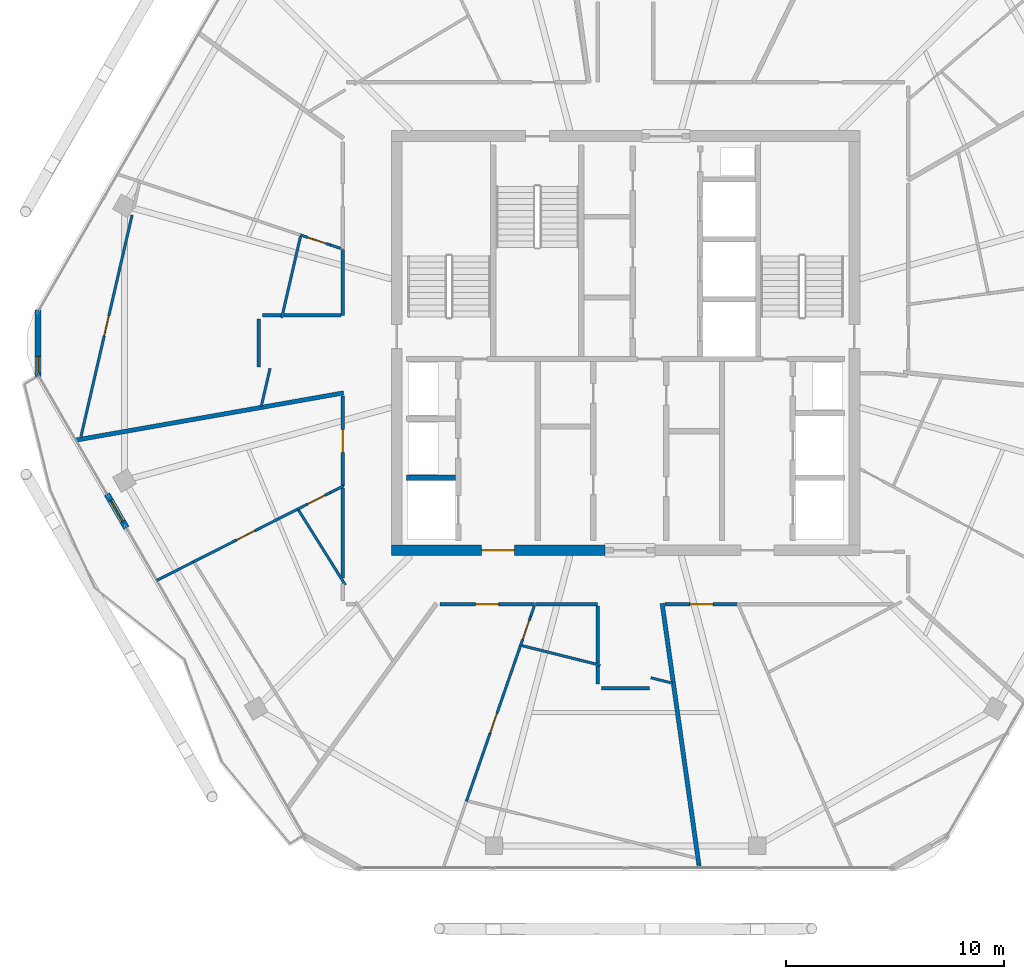
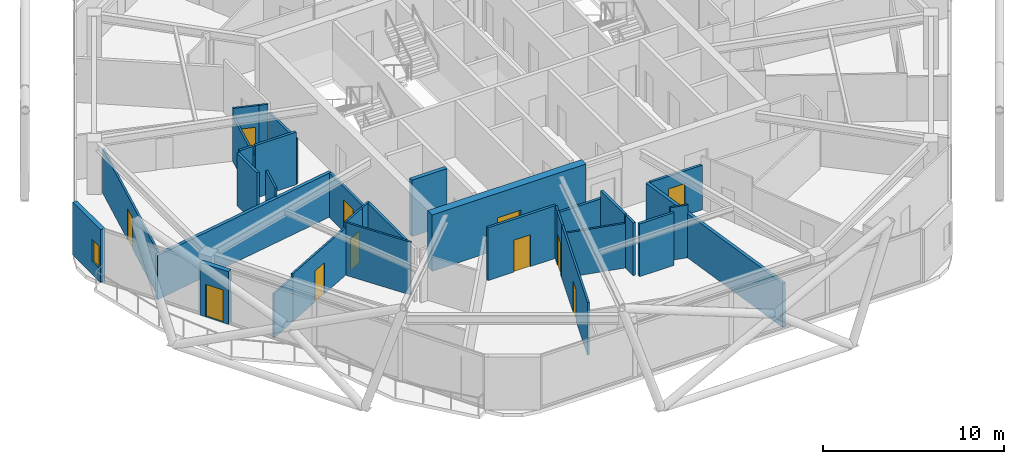
# One storey, part 17 of 24: 33 walls, 11 doors, 1 window, 12 openings.
"""IFC4 building model written with IfcOpenShell, lengths in metres."""

from ifc_helpers import new_model, si_unit, direction, frame, frame_2d, origin, place, context, subcontext, project, spatial, rectangle, extrude, material, layer, layer_set, type_object, element, fill, save


model = new_model("IFC4")

# Units and contexts
model_context = context("Model", 3, precision=1e-05, world=origin(), true_north=direction((0.0, 1.0)))
body_context = subcontext(model_context, "Body", "Model", "MODEL_VIEW")
ifc_project = project(units=[si_unit("LENGTHUNIT", "METRE"), si_unit("AREAUNIT", "SQUARE_METRE"), si_unit("VOLUMEUNIT", "CUBIC_METRE"), si_unit("PLANEANGLEUNIT", "RADIAN"), si_unit("MASSUNIT", "GRAM", prefix="KILO")], contexts=[model_context])

# Site, building, storey
site_placement = place(None, origin())
site = spatial("IfcSite", under=ifc_project, at=site_placement, CompositionType="ELEMENT")
building_placement = place(site_placement, origin())
building = spatial("IfcBuilding", under=site, at=building_placement, Name="Zuhravey Tower", CompositionType="ELEMENT")
storey_placement = place(building_placement, frame((0.0, 0.0, 308.199951171875)))
storey = spatial("IfcBuildingStorey", under=building, at=storey_placement, Name="L78", CompositionType="ELEMENT", Elevation=308.199951171875)

# Wall, opening, door
ifc_material_1 = material(Name="Concrete C50/60", Category="concrete")
ifc_layer_1 = layer(ifc_material_1, 0.5)
ifc_layer_set_1 = layer_set([ifc_layer_1], Name="Concrete C50/60")
wall_type_1 = type_object("IfcWallType", Name="Core Shear Wall 500", PredefinedType="SHEAR", material=ifc_layer_set_1)
wall_1_placement = place(storey_placement, frame((25.25, 22.5, 0.0), z_axis=(0.0, 0.0, 1.0), x_axis=(1.0, 0.0, 0.0)))
wall_1 = element("IfcWall", 1, at=wall_1_placement, inside=storey, type_object=wall_type_1, Name="L78 South-West Core Shear Wall CW50", PredefinedType="SHEAR", context=body_context, shape_type="SweptSolid", body=[
    extrude(rectangle(XDim=9.800048828125, YDim=0.5, at=frame_2d((4.89990234375, 0.0))), origin(), (0.0, 0.0, 1.0), 3.800048828125),
])
opening_1_placement = place(wall_1_placement, frame((4.14990234375, 0.0, 0.0)))
opening_1 = element("IfcOpeningElement", 2, at=opening_1_placement, cuts=wall_1, Name="Opening FFD1", PredefinedType="OPENING", context=body_context, shape_type="SweptSolid", body=[
    extrude(rectangle(XDim=1.5, YDim=2.14990234375, at=frame_2d((0.75, 1.074951171875))), frame((0.0, 0.261962890625, 0.0), z_axis=(0.0, -1.0, 0.0), x_axis=(1.0, 0.0, 0.0)), (0.0, 0.0, 1.0), 0.52392578125),
])
ifc_material_2 = material(Name="Galvanised fire-rated steel leaf", Category="steel")
door_type_1 = type_object("IfcDoorType", Name="Firefighting Lobby Double Door 1500x2150", OperationType="DOUBLE_DOOR_SINGLE_SWING", PredefinedType="DOOR", material=ifc_material_2)
door_1_placement = place(opening_1_placement, origin())
door_1 = element("IfcDoor", 3, at=door_1_placement, inside=storey, type_object=door_type_1, Name="L78 Firefighting Lobby West Door", OperationType="DOUBLE_DOOR_SINGLE_SWING", OverallHeight=2.14990234375, OverallWidth=1.5, PredefinedType="DOOR", context=body_context, shape_type="SweptSolid", body=[
    extrude(rectangle(XDim=1.5, YDim=2.14990234375, at=frame_2d((0.75, 1.074951171875))), frame((0.0, 0.02490234375, 0.0), z_axis=(0.0, -1.0, 0.0), x_axis=(1.0, 0.0, 0.0)), (0.0, 0.0, 1.0), 0.050048828125),
])
fill(opening_1, door_1)

ifc_material_3 = material(Name="Gypsum fire-rated stud partition")
ifc_layer_2 = layer(ifc_material_3, 0.159912109375)
ifc_layer_set_2 = layer_set([ifc_layer_2], Name="Gypsum fire-rated stud partition")
wall_type_2 = type_object("IfcWallType", Name="Corridor Fire Partition 160", PredefinedType="PARTITIONING", material=ifc_layer_set_2)
wall_2_placement = place(storey_placement, frame((23.02001953125, 29.573974609375, 0.0), z_axis=(0.0, 0.0, 1.0), x_axis=(0.0, -1.0, 0.0)))
wall_2 = element("IfcWall", 4, at=wall_2_placement, inside=storey, type_object=wall_type_2, Name="L78 IW16 Partition 031", PredefinedType="PARTITIONING", context=body_context, shape_type="SweptSolid", body=[
    extrude(rectangle(XDim=4.11962890625, YDim=0.159912109375, at=frame_2d((2.059814453125, 0.0))), origin(), (0.0, 0.0, 1.0), 3.0),
])
opening_2_placement = place(wall_2_placement, frame((1.534912109375, 0.0, 0.0)))
opening_2 = element("IfcOpeningElement", 5, at=opening_2_placement, cuts=wall_2, Name="Opening APD1", PredefinedType="OPENING", context=body_context, shape_type="SweptSolid", body=[
    extrude(rectangle(XDim=1.050048828125, YDim=2.14990234375, at=frame_2d((0.52490234375, 1.074951171875))), frame((0.0, 0.092041015625, 0.0), z_axis=(0.0, -1.0, 0.0), x_axis=(1.0, 0.0, 0.0)), (0.0, 0.0, 1.0), 0.183837890625),
])
ifc_material_4 = material(Name="Solid-core oak fire-rated leaf")
door_type_2 = type_object("IfcDoorType", Name="Apartment Entrance Fire Door 1050x2150", OperationType="NOTDEFINED", PredefinedType="DOOR", material=ifc_material_4)
door_2_placement = place(opening_2_placement, frame((1.050048828125, 0.0, 0.0), z_axis=(0.0, 0.0, 1.0), x_axis=(-1.0, 0.0, 0.0)))
door_2 = element("IfcDoor", 6, at=door_2_placement, inside=storey, type_object=door_type_2, Name="L78 Door 031.1", OperationType="SINGLE_SWING_RIGHT", OverallHeight=2.14990234375, OverallWidth=1.050048828125, PredefinedType="DOOR", context=body_context, shape_type="SweptSolid", body=[
    extrude(rectangle(XDim=1.050048828125, YDim=2.14990234375, at=frame_2d((0.52490234375, 1.074951171875))), frame((0.0, 0.02490234375, 0.0), z_axis=(0.0, -1.0, 0.0), x_axis=(1.0, 0.0, 0.0)), (0.0, 0.0, 1.0), 0.050048828125),
])
fill(opening_2, door_2)

wall_3_placement = place(storey_placement, frame((27.479248046875, 20.02001953125, 0.0), z_axis=(0.0, 0.0, 1.0), x_axis=(1.0, 0.0, 0.0)))
wall_3 = element("IfcWall", 7, at=wall_3_placement, inside=storey, type_object=wall_type_2, Name="L78 IW16 Partition 035", PredefinedType="PARTITIONING", context=body_context, shape_type="SweptSolid", body=[
    extrude(rectangle(XDim=4.337158203125, YDim=0.159912109375, at=frame_2d((2.16845703125, 0.0))), origin(), (0.0, 0.0, 1.0), 3.550048828125),
])
opening_3_placement = place(wall_3_placement, frame((1.6435546875, 0.0, 0.0)))
opening_3 = element("IfcOpeningElement", 8, at=opening_3_placement, cuts=wall_3, Name="Opening APD1", PredefinedType="OPENING", context=body_context, shape_type="SweptSolid", body=[
    extrude(rectangle(XDim=1.050048828125, YDim=2.14990234375, at=frame_2d((0.52490234375, 1.074951171875))), frame((0.0, 0.092041015625, 0.0), z_axis=(0.0, -1.0, 0.0), x_axis=(1.0, 0.0, 0.0)), (0.0, 0.0, 1.0), 0.183837890625),
])
door_3_placement = place(opening_3_placement, frame((1.050048828125, 0.0, 0.0), z_axis=(0.0, 0.0, 1.0), x_axis=(-1.0, 0.0, 0.0)))
door_3 = element("IfcDoor", 9, at=door_3_placement, inside=storey, type_object=door_type_2, Name="L78 Door 035.1", OperationType="SINGLE_SWING_RIGHT", OverallHeight=2.14990234375, OverallWidth=1.050048828125, PredefinedType="DOOR", context=body_context, shape_type="SweptSolid", body=[
    extrude(rectangle(XDim=1.050048828125, YDim=2.14990234375, at=frame_2d((0.52490234375, 1.074951171875))), frame((0.0, 0.02490234375, 0.0), z_axis=(0.0, -1.0, 0.0), x_axis=(1.0, 0.0, 0.0)), (0.0, 0.0, 1.0), 0.050048828125),
])
fill(opening_3, door_3)

wall_4_placement = place(storey_placement, frame((37.810546875, 20.02001953125, 0.0), z_axis=(0.0, 0.0, 1.0), x_axis=(1.0, 0.0, 0.0)))
wall_4 = element("IfcWall", 10, at=wall_4_placement, inside=storey, type_object=wall_type_2, Name="L78 IW16 Partition 039", PredefinedType="PARTITIONING", context=body_context, shape_type="SweptSolid", body=[
    extrude(rectangle(XDim=3.33203125, YDim=0.159912109375, at=frame_2d((1.666015625, 0.0))), origin(), (0.0, 0.0, 1.0), 3.0),
])
opening_4_placement = place(wall_4_placement, frame((1.14111328125, 0.0, 0.0)))
opening_4 = element("IfcOpeningElement", 11, at=opening_4_placement, cuts=wall_4, Name="Opening APD1", PredefinedType="OPENING", context=body_context, shape_type="SweptSolid", body=[
    extrude(rectangle(XDim=1.050048828125, YDim=2.14990234375, at=frame_2d((0.52490234375, 1.074951171875))), frame((0.0, 0.092041015625, 0.0), z_axis=(0.0, -1.0, 0.0), x_axis=(1.0, 0.0, 0.0)), (0.0, 0.0, 1.0), 0.183837890625),
])
door_4_placement = place(opening_4_placement, frame((1.050048828125, 0.0, 0.0), z_axis=(0.0, 0.0, 1.0), x_axis=(-1.0, 0.0, 0.0)))
door_4 = element("IfcDoor", 12, at=door_4_placement, inside=storey, type_object=door_type_2, Name="L78 Door 039.1", OperationType="SINGLE_SWING_RIGHT", OverallHeight=2.14990234375, OverallWidth=1.050048828125, PredefinedType="DOOR", context=body_context, shape_type="SweptSolid", body=[
    extrude(rectangle(XDim=1.050048828125, YDim=2.14990234375, at=frame_2d((0.52490234375, 1.074951171875))), frame((0.0, 0.02490234375, 0.0), z_axis=(0.0, -1.0, 0.0), x_axis=(1.0, 0.0, 0.0)), (0.0, 0.0, 1.0), 0.050048828125),
])
fill(opening_4, door_4)

# Walls
wall_5_placement = place(storey_placement, frame((23.02001953125, 36.296875, 0.0), z_axis=(0.0, 0.0, 1.0), x_axis=(0.0, -1.0, 0.0)))
element("IfcWall", 13, at=wall_5_placement, inside=storey, type_object=wall_type_2, Name="L78 IW16 Partition 096", PredefinedType="PARTITIONING", context=body_context, shape_type="SweptSolid", body=[
    extrude(rectangle(XDim=3.016845703125, YDim=0.159912109375, at=frame_2d((1.50830078125, 0.0))), origin(), (0.0, 0.0, 1.0), 3.0),
])
wall_6_placement = place(storey_placement, frame((22.931884765625, 33.280029296875, 0.0), z_axis=(0.0, 0.0, 1.0), x_axis=(-1.0, 0.0, 0.0)))
element("IfcWall", 14, at=wall_6_placement, inside=storey, type_object=wall_type_2, Name="L78 IW16 Partition 097", PredefinedType="PARTITIONING", context=body_context, shape_type="SweptSolid", body=[
    extrude(rectangle(XDim=2.6142578125, YDim=0.159912109375, at=frame_2d((1.30712890625, 0.0))), origin(), (0.0, 0.0, 1.0), 3.550048828125),
])
wall_7_placement = place(storey_placement, frame((19.169921875, 33.10009765625, 0.0), z_axis=(0.0, 0.0, 1.0), x_axis=(0.0, -1.0, 0.0)))
element("IfcWall", 15, at=wall_7_placement, inside=storey, type_object=wall_type_2, Name="L78 IW16 Partition 098", PredefinedType="PARTITIONING", context=body_context, shape_type="SweptSolid", body=[
    extrude(rectangle(XDim=2.2001953125, YDim=0.159912109375, at=frame_2d((1.10009765625, 0.0))), origin(), (0.0, 0.0, 1.0), 3.550048828125),
])
wall_8_placement = place(storey_placement, frame((20.177978515625, 33.280029296875, 0.0), z_axis=(0.0, 0.0, 1.0), x_axis=(-1.0, 0.0, 0.0)))
element("IfcWall", 16, at=wall_8_placement, inside=storey, type_object=wall_type_2, Name="L78 IW16 Partition 099", PredefinedType="PARTITIONING", context=body_context, shape_type="SweptSolid", body=[
    extrude(rectangle(XDim=0.827880859375, YDim=0.159912109375, at=frame_2d((0.4140625, 0.0))), origin(), (0.0, 0.0, 1.0), 3.550048828125),
])
wall_9_placement = place(storey_placement, frame((23.02001953125, 25.355712890625, 0.0), z_axis=(0.0, 0.0, 1.0), x_axis=(0.0, -1.0, 0.0)))
element("IfcWall", 17, at=wall_9_placement, inside=storey, type_object=wall_type_2, Name="L78 IW16 Partition 100", PredefinedType="PARTITIONING", context=body_context, shape_type="SweptSolid", body=[
    extrude(rectangle(XDim=4.131103515625, YDim=0.159912109375, at=frame_2d((2.0654296875, 0.0))), origin(), (0.0, 0.0, 1.0), 3.550048828125),
])
wall_10_placement = place(storey_placement, frame((31.858642578125, 20.02001953125, 0.0), z_axis=(0.0, 0.0, 1.0), x_axis=(1.0, 0.0, 0.0)))
element("IfcWall", 18, at=wall_10_placement, inside=storey, type_object=wall_type_2, Name="L78 IW16 Partition 103", PredefinedType="PARTITIONING", context=body_context, shape_type="SweptSolid", body=[
    extrude(rectangle(XDim=2.861328125, YDim=0.159912109375, at=frame_2d((1.4306640625, 0.0))), origin(), (0.0, 0.0, 1.0), 3.0),
])
wall_11_placement = place(storey_placement, frame((34.719970703125, 19.931884765625, 0.0), z_axis=(0.0, 0.0, 1.0), x_axis=(0.0, -1.0, 0.0)))
element("IfcWall", 19, at=wall_11_placement, inside=storey, type_object=wall_type_2, Name="L78 IW16 Partition 104", PredefinedType="PARTITIONING", context=body_context, shape_type="SweptSolid", body=[
    extrude(rectangle(XDim=2.60693359375, YDim=0.159912109375, at=frame_2d((1.303466796875, 0.0))), origin(), (0.0, 0.0, 1.0), 3.550048828125),
])
wall_12_placement = place(storey_placement, frame((34.89990234375, 16.169921875, 0.0), z_axis=(0.0, 0.0, 1.0), x_axis=(1.0, 0.0, 0.0)))
element("IfcWall", 20, at=wall_12_placement, inside=storey, type_object=wall_type_2, Name="L78 IW16 Partition 105", PredefinedType="PARTITIONING", context=body_context, shape_type="SweptSolid", body=[
    extrude(rectangle(XDim=2.2001953125, YDim=0.159912109375, at=frame_2d((1.10009765625, 0.0))), origin(), (0.0, 0.0, 1.0), 3.550048828125),
])
wall_13_placement = place(storey_placement, frame((34.719970703125, 17.184814453125, 0.0), z_axis=(0.0, 0.0, 1.0), x_axis=(0.0, -1.0, 0.0)))
element("IfcWall", 21, at=wall_13_placement, inside=storey, type_object=wall_type_2, Name="L78 IW16 Partition 106", PredefinedType="PARTITIONING", context=body_context, shape_type="SweptSolid", body=[
    extrude(rectangle(XDim=0.834716796875, YDim=0.159912109375, at=frame_2d((0.41748046875, 0.0))), origin(), (0.0, 0.0, 1.0), 3.550048828125),
])

# Wall, opening, door
ifc_material_5 = material(Name="Precast concrete C40/50", Category="concrete")
ifc_layer_3 = layer(ifc_material_5, 0.280029296875)
ifc_layer_set_3 = layer_set([ifc_layer_3], Name="Precast concrete C40/50")
wall_type_3 = type_object("IfcWallType", Name="Crown Architectural Wall 280", PredefinedType="SOLIDWALL", material=ifc_layer_set_3)
wall_14_placement = place(storey_placement, frame((13.095458984375, 23.523681640625, 0.0), z_axis=(0.0, 0.0, 1.0), x_axis=(-0.499923131819, 0.866069779101, 0.0)))
wall_14 = element("IfcWall", 22, at=wall_14_placement, inside=storey, type_object=wall_type_3, Name="L78 Face 4 Facade Pier EW28-1", PredefinedType="SOLIDWALL", context=body_context, shape_type="SweptSolid", body=[
    extrude(rectangle(XDim=1.790283203125, YDim=0.280029296875, at=frame_2d((0.89501953125, 0.0))), origin(), (0.0, 0.0, 1.0), 3.550048828125),
])
opening_5_placement = place(wall_14_placement, frame((0.344970703125, 0.0, 0.0)))
opening_5 = element("IfcOpeningElement", 23, at=opening_5_placement, cuts=wall_14, Name="Opening BLD1", PredefinedType="OPENING", context=body_context, shape_type="SweptSolid", body=[
    extrude(rectangle(XDim=1.10009765625, YDim=2.199951171875, at=frame_2d((0.550048828125, 1.10009765625))), frame((0.0, 0.152099609375, 0.0), z_axis=(0.0, -1.0, 0.0), x_axis=(1.0, 0.0, 0.0)), (0.0, 0.0, 1.0), 0.303955078125),
])
ifc_material_6 = material(Name="Thermally broken aluminium and low-E glass", Category="aluminium")
door_type_3 = type_object("IfcDoorType", Name="Balcony & Sky-Tray Glazed Door 1100x2200", OperationType="NOTDEFINED", PredefinedType="DOOR", material=ifc_material_6)
door_5_placement = place(opening_5_placement, frame((1.10009765625, 0.0, 0.0), z_axis=(0.0, 0.0, 1.0), x_axis=(-1.0, 0.0, 0.0)))
door_5 = element("IfcDoor", 24, at=door_5_placement, inside=storey, type_object=door_type_3, Name="L78 Face 4 Wave Balcony Door", OperationType="SINGLE_SWING_LEFT", OverallHeight=2.199951171875, OverallWidth=1.10009765625, PredefinedType="DOOR", context=body_context, shape_type="SweptSolid", body=[
    extrude(rectangle(XDim=1.10009765625, YDim=2.199951171875, at=frame_2d((0.550048828125, 1.10009765625))), frame((0.0, 0.02490234375, 0.0), z_axis=(0.0, -1.0, 0.0), x_axis=(1.0, 0.0, 0.0)), (0.0, 0.0, 1.0), 0.050048828125),
])
fill(opening_5, door_5)

# Wall, opening, window
wall_15_placement = place(storey_placement, frame((9.031494140625, 30.467529296875, 0.0), z_axis=(0.0, 0.0, 1.0), x_axis=(0.0, 1.0, 0.0)))
wall_15 = element("IfcWall", 25, at=wall_15_placement, inside=storey, type_object=wall_type_3, Name="L78 Rounded Corner Closure Wall EW28-06", PredefinedType="SOLIDWALL", context=body_context, shape_type="SweptSolid", body=[
    extrude(rectangle(XDim=3.06494140625, YDim=0.280029296875, at=frame_2d((1.532470703125, 0.0))), origin(), (0.0, 0.0, 1.0), 3.550048828125),
])
opening_6_placement = place(wall_15_placement, frame((0.1728515625, 0.0, 0.85009765625)))
opening_6 = element("IfcOpeningElement", 26, at=opening_6_placement, cuts=wall_15, Name="Opening WN5", PredefinedType="OPENING", context=body_context, shape_type="SweptSolid", body=[
    extrude(rectangle(XDim=0.75, YDim=1.5, at=frame_2d((0.375, 0.75))), frame((0.0, 0.152099609375, 0.0), z_axis=(0.0, -1.0, 0.0), x_axis=(1.0, 0.0, 0.0)), (0.0, 0.0, 1.0), 0.303955078125),
])
ifc_material_7 = material(Name="Thermally broken aluminium and triple low-E glass", Category="aluminium")
window_type = type_object("IfcWindowType", Name="Residential Corner Casement Window 750x1500", PartitioningType="SINGLE_PANEL", PredefinedType="WINDOW", material=ifc_material_7)
window_placement = place(opening_6_placement, origin())
window = element("IfcWindow", 27, at=window_placement, inside=storey, type_object=window_type, Name="L78 Corner Casement Window WN5-06.1", OverallHeight=1.5, OverallWidth=0.75, PartitioningType="SINGLE_PANEL", PredefinedType="WINDOW", context=body_context, shape_type="SweptSolid", body=[
    extrude(rectangle(XDim=0.75, YDim=1.5, at=frame_2d((0.375, 0.75))), frame((0.0, 0.030029296875, 0.0), z_axis=(0.0, -1.0, 0.0), x_axis=(1.0, 0.0, 0.0)), (0.0, 0.0, 1.0), 0.06005859375),
])
fill(opening_6, window)

# Walls
ifc_layer_4 = layer(ifc_material_1, 0.25)
ifc_layer_set_4 = layer_set([ifc_layer_4], Name="Concrete C50/60")
wall_type_4 = type_object("IfcWallType", Name="Firefighting Shaft & Stair Wall 250", PredefinedType="SOLIDWALL", material=ifc_layer_set_4)
wall_16_placement = place(storey_placement, frame((25.949951171875, 25.824951171875, 0.0), z_axis=(0.0, 0.0, 1.0), x_axis=(1.0, 0.0, 0.0)))
element("IfcWall", 28, at=wall_16_placement, inside=storey, type_object=wall_type_4, Name="L78 FW25 Shaft Wall 009", PredefinedType="SOLIDWALL", context=body_context, shape_type="SweptSolid", body=[
    extrude(rectangle(XDim=2.25, YDim=0.25, at=frame_2d((1.125, 0.0))), origin(), (0.0, 0.0, 1.0), 3.800048828125),
])
ifc_material_8 = material(Name="Gypsum double-stud party assembly")
ifc_layer_5 = layer(ifc_material_8, 0.199951171875)
ifc_layer_set_5 = layer_set([ifc_layer_5], Name="Gypsum double-stud party assembly")
wall_type_5 = type_object("IfcWallType", Name="Inter-Tenancy Party Wall 200", PredefinedType="PARTITIONING", material=ifc_layer_set_5)
wall_17_placement = place(storey_placement, frame((23.06005859375, 29.71826171875, 0.0), z_axis=(0.0, 0.0, 1.0), x_axis=(-0.984808757343, -0.173642481728, 0.0)))
element("IfcWall", 29, at=wall_17_placement, inside=storey, type_object=wall_type_5, Name="L78 IW20 Partition 069", PredefinedType="PARTITIONING", context=body_context, shape_type="SweptSolid", body=[
    extrude(rectangle(XDim=12.479736328125, YDim=0.199951171875, at=frame_2d((6.23974609375, 0.0))), origin(), (0.0, 0.0, 1.0), 2.969970703125),
])
wall_18_placement = place(storey_placement, frame((37.677978515625, 20.06005859375, 0.0), z_axis=(0.0, 0.0, 1.0), x_axis=(0.139169963781, -0.990268509638, 0.0)))
element("IfcWall", 30, at=wall_18_placement, inside=storey, type_object=wall_type_5, Name="L78 IW20 Partition 079", PredefinedType="PARTITIONING", context=body_context, shape_type="SweptSolid", body=[
    extrude(rectangle(XDim=12.25341796875, YDim=0.199951171875, at=frame_2d((6.126708984375, 0.0))), origin(), (0.0, 0.0, 1.0), 2.969970703125),
])

# Wall, opening, door
ifc_material_9 = material(Name="Gypsum metal-stud partition")
ifc_layer_6 = layer(ifc_material_9, 0.1201171875)
ifc_layer_set_6 = layer_set([ifc_layer_6], Name="Gypsum metal-stud partition")
wall_type_6 = type_object("IfcWallType", Name="Unit Internal Partition 120", PredefinedType="PARTITIONING", material=ifc_layer_set_6)
wall_19_placement = place(storey_placement, frame((22.449951171875, 36.507568359375, 0.0), z_axis=(0.0, 0.0, 1.0), x_axis=(-0.94886823131, 0.315672424532, 0.0)))
wall_19 = element("IfcWall", 31, at=wall_19_placement, inside=storey, type_object=wall_type_6, Name="L78 IW12 Partition 024", PredefinedType="PARTITIONING", context=body_context, shape_type="SweptSolid", body=[
    extrude(rectangle(XDim=1.450927734375, YDim=0.1201171875, at=frame_2d((0.7255859375, 0.0))), origin(), (0.0, 0.0, 1.0), 3.550048828125),
])
opening_7_placement = place(wall_19_placement, frame((0.199951171875, 0.0, 0.0)))
opening_7 = element("IfcOpeningElement", 32, at=opening_7_placement, cuts=wall_19, Name="Opening WCD1", PredefinedType="OPENING", context=body_context, shape_type="SweptSolid", body=[
    extrude(rectangle(XDim=0.89990234375, YDim=2.10009765625, at=frame_2d((0.449951171875, 1.050048828125))), frame((0.0, 0.072021484375, 0.0), z_axis=(0.0, -1.0, 0.0), x_axis=(1.0, 0.0, 0.0)), (0.0, 0.0, 1.0), 0.14404296875),
])
ifc_material_10 = material(Name="Moisture-resistant timber leaf", Category="wood")
door_type_4 = type_object("IfcDoorType", Name="Bathroom & WC Internal Door 900x2100", OperationType="NOTDEFINED", PredefinedType="DOOR", material=ifc_material_10)
door_6_placement = place(opening_7_placement, origin())
door_6 = element("IfcDoor", 33, at=door_6_placement, inside=storey, type_object=door_type_4, Name="Apartment L78-02 Bathroom Door", OperationType="SINGLE_SWING_LEFT", OverallHeight=2.10009765625, OverallWidth=0.89990234375, PredefinedType="DOOR", context=body_context, shape_type="SweptSolid", body=[
    extrude(rectangle(XDim=0.89990234375, YDim=2.10009765625, at=frame_2d((0.449951171875, 1.050048828125))), frame((0.0, 0.02490234375, 0.0), z_axis=(0.0, -1.0, 0.0), x_axis=(1.0, 0.0, 0.0)), (0.0, 0.0, 1.0), 0.050048828125),
])
fill(opening_7, door_6)

wall_20_placement = place(storey_placement, frame((13.3564453125, 37.88232421875, 0.0), z_axis=(0.0, 0.0, 1.0), x_axis=(-0.224948374829, -0.974370683396, 0.0)))
wall_20 = element("IfcWall", 34, at=wall_20_placement, inside=storey, type_object=wall_type_6, Name="L78 IW12 Partition 026", PredefinedType="PARTITIONING", context=body_context, shape_type="SweptSolid", body=[
    extrude(rectangle(XDim=10.43310546875, YDim=0.1201171875, at=frame_2d((5.216552734375, 0.0))), origin(), (0.0, 0.0, 1.0), 2.969970703125),
])
opening_8_placement = place(wall_20_placement, frame((4.74169921875, 0.0, 0.0)))
opening_8 = element("IfcOpeningElement", 35, at=opening_8_placement, cuts=wall_20, Name="Opening IND1", PredefinedType="OPENING", context=body_context, shape_type="SweptSolid", body=[
    extrude(rectangle(XDim=0.949951171875, YDim=2.10009765625, at=frame_2d((0.47509765625, 1.050048828125))), frame((0.0, 0.072021484375, 0.0), z_axis=(0.0, -1.0, 0.0), x_axis=(1.0, 0.0, 0.0)), (0.0, 0.0, 1.0), 0.14404296875),
])
ifc_material_11 = material(Name="Painted engineered timber leaf", Category="wood")
door_type_5 = type_object("IfcDoorType", Name="Internal Room & Bedroom Door 950x2100", OperationType="NOTDEFINED", PredefinedType="DOOR", material=ifc_material_11)
door_7_placement = place(opening_8_placement, frame((0.949951171875, 0.0, 0.0), z_axis=(0.0, 0.0, 1.0), x_axis=(-1.0, 0.0, 0.0)))
door_7 = element("IfcDoor", 36, at=door_7_placement, inside=storey, type_object=door_type_5, Name="Apartment L78-02 Bedroom 1 Door", OperationType="SINGLE_SWING_LEFT", OverallHeight=2.10009765625, OverallWidth=0.949951171875, PredefinedType="DOOR", context=body_context, shape_type="SweptSolid", body=[
    extrude(rectangle(XDim=0.949951171875, YDim=2.10009765625, at=frame_2d((0.47509765625, 1.050048828125))), frame((0.0, 0.02490234375, 0.0), z_axis=(0.0, -1.0, 0.0), x_axis=(1.0, 0.0, 0.0)), (0.0, 0.0, 1.0), 0.050048828125),
])
fill(opening_8, door_7)

wall_21_placement = place(storey_placement, frame((22.449951171875, 25.1435546875, 0.0), z_axis=(0.0, 0.0, 1.0), x_axis=(-0.892282910902, -0.451476695868, 0.0)))
wall_21 = element("IfcWall", 37, at=wall_21_placement, inside=storey, type_object=wall_type_6, Name="L78 IW12 Partition 028", PredefinedType="PARTITIONING", context=body_context, shape_type="SweptSolid", body=[
    extrude(rectangle(XDim=1.693115234375, YDim=0.1201171875, at=frame_2d((0.8466796875, 0.0))), origin(), (0.0, 0.0, 1.0), 3.550048828125),
])
opening_9_placement = place(wall_21_placement, frame((0.26123046875, 0.0, 0.0)))
opening_9 = element("IfcOpeningElement", 38, at=opening_9_placement, cuts=wall_21, Name="Opening WCD1", PredefinedType="OPENING", context=body_context, shape_type="SweptSolid", body=[
    extrude(rectangle(XDim=0.89990234375, YDim=2.10009765625, at=frame_2d((0.449951171875, 1.050048828125))), frame((0.0, 0.072021484375, 0.0), z_axis=(0.0, -1.0, 0.0), x_axis=(1.0, 0.0, 0.0)), (0.0, 0.0, 1.0), 0.14404296875),
])
door_8_placement = place(opening_9_placement, origin())
door_8 = element("IfcDoor", 39, at=door_8_placement, inside=storey, type_object=door_type_4, Name="Apartment L78-03 Bathroom Door", OperationType="SINGLE_SWING_LEFT", OverallHeight=2.10009765625, OverallWidth=0.89990234375, PredefinedType="DOOR", context=body_context, shape_type="SweptSolid", body=[
    extrude(rectangle(XDim=0.89990234375, YDim=2.10009765625, at=frame_2d((0.449951171875, 1.050048828125))), frame((0.0, 0.02490234375, 0.0), z_axis=(0.0, -1.0, 0.0), x_axis=(1.0, 0.0, 0.0)), (0.0, 0.0, 1.0), 0.050048828125),
])
fill(opening_9, door_8)

wall_22_placement = place(storey_placement, frame((20.939208984375, 24.379150390625, 0.0), z_axis=(0.0, 0.0, 1.0), x_axis=(-0.892264822084, -0.451512444205, 0.0)))
wall_22 = element("IfcWall", 40, at=wall_22_placement, inside=storey, type_object=wall_type_6, Name="L78 IW12 Partition 029", PredefinedType="PARTITIONING", context=body_context, shape_type="SweptSolid", body=[
    extrude(rectangle(XDim=5.354736328125, YDim=0.1201171875, at=frame_2d((2.67724609375, 0.0))), origin(), (0.0, 0.0, 1.0), 3.199951171875),
])
opening_10_placement = place(wall_22_placement, frame((2.17724609375, 0.0, 0.0)))
opening_10 = element("IfcOpeningElement", 41, at=opening_10_placement, cuts=wall_22, Name="Opening IND1", PredefinedType="OPENING", context=body_context, shape_type="SweptSolid", body=[
    extrude(rectangle(XDim=0.949951171875, YDim=2.10009765625, at=frame_2d((0.47509765625, 1.050048828125))), frame((0.0, 0.072021484375, 0.0), z_axis=(0.0, -1.0, 0.0), x_axis=(1.0, 0.0, 0.0)), (0.0, 0.0, 1.0), 0.14404296875),
])
door_9_placement = place(opening_10_placement, origin())
door_9 = element("IfcDoor", 42, at=door_9_placement, inside=storey, type_object=door_type_5, Name="Apartment L78-03 Home Office Door", OperationType="SINGLE_SWING_RIGHT", OverallHeight=2.10009765625, OverallWidth=0.949951171875, PredefinedType="DOOR", context=body_context, shape_type="SweptSolid", body=[
    extrude(rectangle(XDim=0.949951171875, YDim=2.10009765625, at=frame_2d((0.47509765625, 1.050048828125))), frame((0.0, 0.02490234375, 0.0), z_axis=(0.0, -1.0, 0.0), x_axis=(1.0, 0.0, 0.0)), (0.0, 0.0, 1.0), 0.050048828125),
])
fill(opening_10, door_9)

wall_23_placement = place(storey_placement, frame((31.639404296875, 19.449951171875, 0.0), z_axis=(0.0, 0.0, 1.0), x_axis=(-0.328259686912, -0.944587517358, 0.0)))
wall_23 = element("IfcWall", 43, at=wall_23_placement, inside=storey, type_object=wall_type_6, Name="L78 IW12 Partition 032", PredefinedType="PARTITIONING", context=body_context, shape_type="SweptSolid", body=[
    extrude(rectangle(XDim=1.415283203125, YDim=0.1201171875, at=frame_2d((0.70751953125, 0.0))), origin(), (0.0, 0.0, 1.0), 3.550048828125),
])
opening_11_placement = place(wall_23_placement, frame((0.199951171875, 0.0, 0.0)))
opening_11 = element("IfcOpeningElement", 44, at=opening_11_placement, cuts=wall_23, Name="Opening WCD1", PredefinedType="OPENING", context=body_context, shape_type="SweptSolid", body=[
    extrude(rectangle(XDim=0.89990234375, YDim=2.10009765625, at=frame_2d((0.449951171875, 1.050048828125))), frame((0.0, 0.072021484375, 0.0), z_axis=(0.0, -1.0, 0.0), x_axis=(1.0, 0.0, 0.0)), (0.0, 0.0, 1.0), 0.14404296875),
])
door_10_placement = place(opening_11_placement, origin())
door_10 = element("IfcDoor", 45, at=door_10_placement, inside=storey, type_object=door_type_4, Name="Apartment L78-04 Bathroom Door", OperationType="SINGLE_SWING_LEFT", OverallHeight=2.10009765625, OverallWidth=0.89990234375, PredefinedType="DOOR", context=body_context, shape_type="SweptSolid", body=[
    extrude(rectangle(XDim=0.89990234375, YDim=2.10009765625, at=frame_2d((0.449951171875, 1.050048828125))), frame((0.0, 0.02490234375, 0.0), z_axis=(0.0, -1.0, 0.0), x_axis=(1.0, 0.0, 0.0)), (0.0, 0.0, 1.0), 0.050048828125),
])
fill(opening_11, door_10)

wall_24_placement = place(storey_placement, frame((31.175048828125, 18.113037109375, 0.0), z_axis=(0.0, 0.0, 1.0), x_axis=(-0.32822845585, -0.944598370087, 0.0)))
wall_24 = element("IfcWall", 46, at=wall_24_placement, inside=storey, type_object=wall_type_6, Name="L78 IW12 Partition 033", PredefinedType="PARTITIONING", context=body_context, shape_type="SweptSolid", body=[
    extrude(rectangle(XDim=7.552001953125, YDim=0.1201171875, at=frame_2d((3.77587890625, 0.0))), origin(), (0.0, 0.0, 1.0), 3.550048828125),
])
opening_12_placement = place(wall_24_placement, frame((3.27587890625, 0.0, 0.0)))
opening_12 = element("IfcOpeningElement", 47, at=opening_12_placement, cuts=wall_24, Name="Opening IND1", PredefinedType="OPENING", context=body_context, shape_type="SweptSolid", body=[
    extrude(rectangle(XDim=0.949951171875, YDim=2.10009765625, at=frame_2d((0.47509765625, 1.050048828125))), frame((0.0, 0.072021484375, 0.0), z_axis=(0.0, -1.0, 0.0), x_axis=(1.0, 0.0, 0.0)), (0.0, 0.0, 1.0), 0.14404296875),
])
door_11_placement = place(opening_12_placement, origin())
door_11 = element("IfcDoor", 48, at=door_11_placement, inside=storey, type_object=door_type_5, Name="Apartment L78-04 Home Office Door", OperationType="SINGLE_SWING_RIGHT", OverallHeight=2.10009765625, OverallWidth=0.949951171875, PredefinedType="DOOR", context=body_context, shape_type="SweptSolid", body=[
    extrude(rectangle(XDim=0.949951171875, YDim=2.10009765625, at=frame_2d((0.47509765625, 1.050048828125))), frame((0.0, 0.02490234375, 0.0), z_axis=(0.0, -1.0, 0.0), x_axis=(1.0, 0.0, 0.0)), (0.0, 0.0, 1.0), 0.050048828125),
])
fill(opening_12, door_11)

# Walls
wall_25_placement = place(storey_placement, frame((22.931884765625, 36.34716796875, 0.0), z_axis=(0.0, 0.0, 1.0), x_axis=(-0.948827398112, 0.315795137062, 0.0)))
element("IfcWall", 49, at=wall_25_placement, inside=storey, type_object=wall_type_6, Name="L78 IW12 Partition 064", PredefinedType="PARTITIONING", context=body_context, shape_type="SweptSolid", body=[
    extrude(rectangle(XDim=0.5078125, YDim=0.1201171875, at=frame_2d((0.25390625, 0.0))), origin(), (0.0, 0.0, 1.0), 3.550048828125),
])
wall_26_placement = place(storey_placement, frame((21.08154296875, 36.89111328125, 0.0), z_axis=(0.0, 0.0, 1.0), x_axis=(-0.224929350613, -0.974375075232, 0.0)))
element("IfcWall", 50, at=wall_26_placement, inside=storey, type_object=wall_type_6, Name="L78 IW12 Partition 066", PredefinedType="PARTITIONING", context=body_context, shape_type="SweptSolid", body=[
    extrude(rectangle(XDim=3.829345703125, YDim=0.1201171875, at=frame_2d((1.91455078125, 0.0))), origin(), (0.0, 0.0, 1.0), 3.0),
])
wall_27_placement = place(storey_placement, frame((19.6845703125, 30.840087890625, 0.0), z_axis=(0.0, 0.0, 1.0), x_axis=(-0.22491945774, -0.974377358896, 0.0)))
element("IfcWall", 51, at=wall_27_placement, inside=storey, type_object=wall_type_6, Name="L78 IW12 Partition 067", PredefinedType="PARTITIONING", context=body_context, shape_type="SweptSolid", body=[
    extrude(rectangle(XDim=1.784423828125, YDim=0.1201171875, at=frame_2d((0.89208984375, 0.0))), origin(), (0.0, 0.0, 1.0), 3.550048828125),
])
wall_28_placement = place(storey_placement, frame((23.062255859375, 25.453369140625, 0.0), z_axis=(0.0, 0.0, 1.0), x_axis=(-0.892282355031, -0.451477794471, 0.0)))
element("IfcWall", 52, at=wall_28_placement, inside=storey, type_object=wall_type_6, Name="L78 IW12 Partition 070", PredefinedType="PARTITIONING", context=body_context, shape_type="SweptSolid", body=[
    extrude(rectangle(XDim=0.686279296875, YDim=0.1201171875, at=frame_2d((0.34326171875, 0.0))), origin(), (0.0, 0.0, 1.0), 3.550048828125),
])
wall_29_placement = place(storey_placement, frame((16.161376953125, 21.96142578125, 0.0), z_axis=(0.0, 0.0, 1.0), x_axis=(-0.892263035208, -0.451515975356, 0.0)))
element("IfcWall", 53, at=wall_29_placement, inside=storey, type_object=wall_type_6, Name="L78 IW12 Partition 071", PredefinedType="PARTITIONING", context=body_context, shape_type="SweptSolid", body=[
    extrude(rectangle(XDim=1.881591796875, YDim=0.1201171875, at=frame_2d((0.94091796875, 0.0))), origin(), (0.0, 0.0, 1.0), 2.969970703125),
])
wall_30_placement = place(storey_placement, frame((20.997802734375, 24.33251953125, 0.0), z_axis=(0.0, 0.0, 1.0), x_axis=(0.529874080143, -0.848076328636, 0.0)))
element("IfcWall", 54, at=wall_30_placement, inside=storey, type_object=wall_type_6, Name="L78 IW12 Partition 072", PredefinedType="PARTITIONING", context=body_context, shape_type="SweptSolid", body=[
    extrude(rectangle(XDim=4.042724609375, YDim=0.1201171875, at=frame_2d((2.021484375, 0.0))), origin(), (0.0, 0.0, 1.0), 3.550048828125),
])
wall_31_placement = place(storey_placement, frame((31.806884765625, 19.931884765625, 0.0), z_axis=(0.0, 0.0, 1.0), x_axis=(-0.328260778463, -0.944587138025, 0.0)))
element("IfcWall", 55, at=wall_31_placement, inside=storey, type_object=wall_type_6, Name="L78 IW12 Partition 075", PredefinedType="PARTITIONING", context=body_context, shape_type="SweptSolid", body=[
    extrude(rectangle(XDim=0.51025390625, YDim=0.1201171875, at=frame_2d((0.255126953125, 0.0))), origin(), (0.0, 0.0, 1.0), 3.550048828125),
])
wall_32_placement = place(storey_placement, frame((31.249267578125, 18.1201171875, 0.0), z_axis=(0.0, 0.0, 1.0), x_axis=(0.970297526706, -0.241914674356, 0.0)))
element("IfcWall", 56, at=wall_32_placement, inside=storey, type_object=wall_type_6, Name="L78 IW12 Partition 077", PredefinedType="PARTITIONING", context=body_context, shape_type="SweptSolid", body=[
    extrude(rectangle(XDim=3.70068359375, YDim=0.1201171875, at=frame_2d((1.850341796875, 0.0))), origin(), (0.0, 0.0, 1.0), 3.0),
])
wall_33_placement = place(storey_placement, frame((37.159912109375, 16.646484375, 0.0), z_axis=(0.0, 0.0, 1.0), x_axis=(0.970296375277, -0.241919292584, 0.0)))
element("IfcWall", 57, at=wall_33_placement, inside=storey, type_object=wall_type_6, Name="L78 IW12 Partition 078", PredefinedType="PARTITIONING", context=body_context, shape_type="SweptSolid", body=[
    extrude(rectangle(XDim=1.025390625, YDim=0.1201171875, at=frame_2d((0.5126953125, 0.0))), origin(), (0.0, 0.0, 1.0), 3.550048828125),
])

save(model, "model.ifc")
